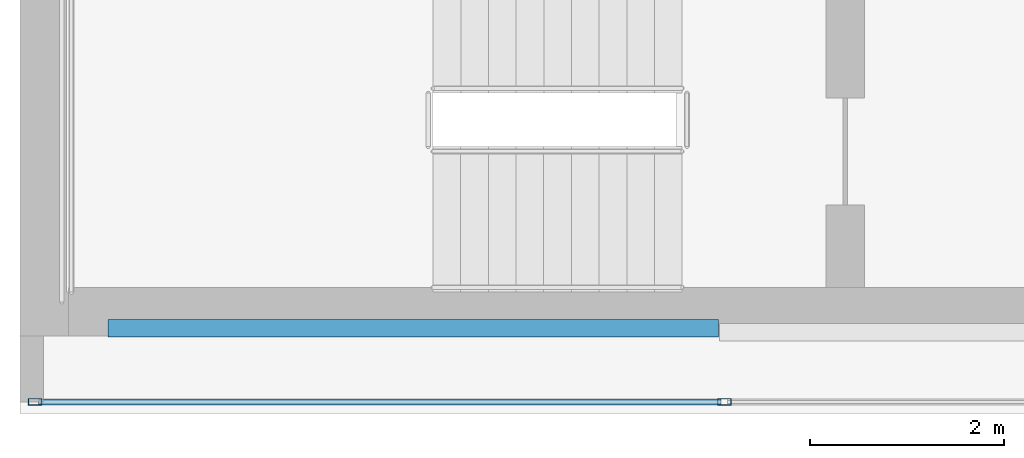
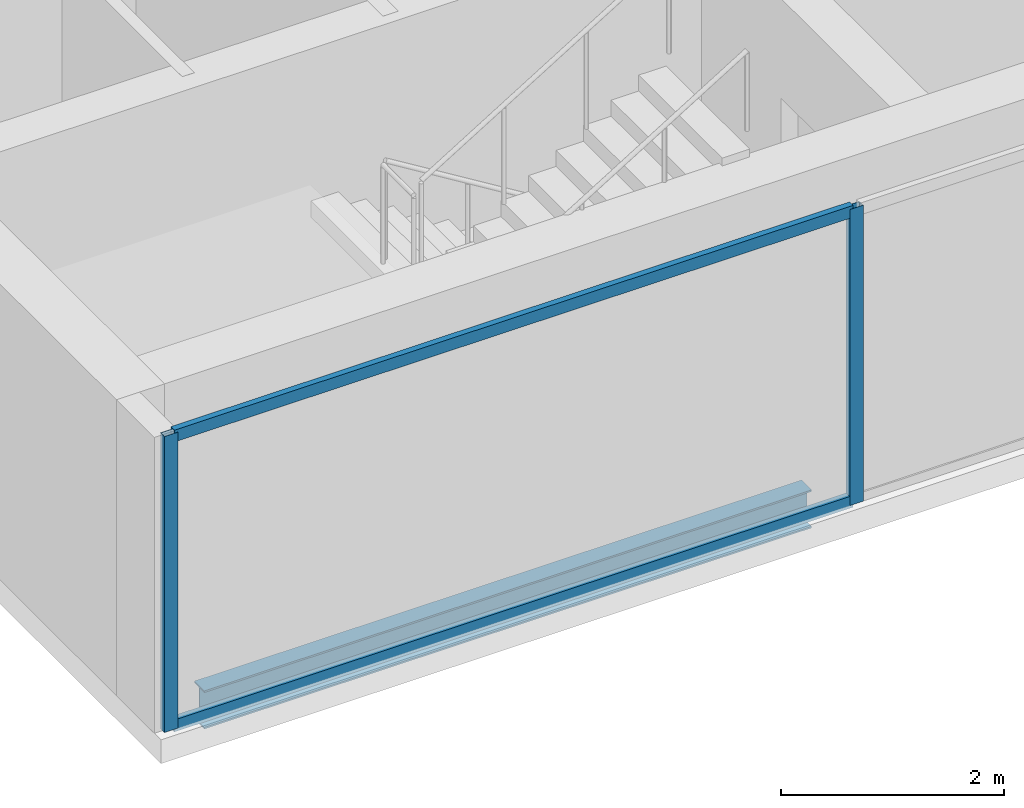
# One storey, part 2 of 23: 4 members, 1 beam, 1 element without a shape of its own.
"""IFC4 building model written with IfcOpenShell, lengths in metres."""

from ifc_helpers import new_model, si_unit, direction, frame, origin, origin_2d, place, context, subcontext, project, spatial, hollow_rectangle, i_section, extrude, material, material_profile, profile_set, type_object, element, aggregate, save


model = new_model("IFC4")

# Units and contexts
model_context = context("Model", 3, precision=1e-05, world=origin(), true_north=direction((0.0, 1.0)))
body_context = subcontext(model_context, "Body", "Model", "MODEL_VIEW")
ifc_project = project(units=[si_unit("LENGTHUNIT", "METRE"), si_unit("AREAUNIT", "SQUARE_METRE"), si_unit("VOLUMEUNIT", "CUBIC_METRE"), si_unit("PLANEANGLEUNIT", "RADIAN"), si_unit("MASSUNIT", "GRAM", prefix="KILO")], contexts=[model_context])

# Site, building, storey
site_placement = place(None, origin())
site = spatial("IfcSite", under=ifc_project, at=site_placement, CompositionType="ELEMENT")
building_placement = place(site_placement, origin())
building = spatial("IfcBuilding", under=site, at=building_placement, Name="Cobrela Telecom Tower", CompositionType="ELEMENT")
storey_placement = place(building_placement, frame((0.0, 0.0, 255.14990234375)))
storey = spatial("IfcBuildingStorey", under=building, at=storey_placement, Name="L66", CompositionType="ELEMENT", Elevation=255.14990234375)

# Beam
ifc_material_1 = material(Name="Steel ASTM A992 Grade 50", Category="steel")
ifc_material_profile_1 = material_profile(ifc_material_1, i_section(OverallWidth=0.179931640625, OverallDepth=0.4169921875, WebThickness=0.010986328125, FlangeThickness=0.01806640625, FilletRadius=0.011962890625, at=origin_2d()), Name="W16X57")
ifc_profile_set_1 = profile_set([ifc_material_profile_1], Name="Steel ASTM A992 Grade 50")
beam_type = type_object("IfcBeamType", Name="BM-SPAND-06", PredefinedType="SPANDREL", material=ifc_profile_set_1)
beam_placement = place(storey_placement, frame((0.905029296875, 7.280029296875, -0.468505859375), z_axis=(1.0, 0.0, 0.0), x_axis=(0.0, 1.0, 0.0)))
element("IfcBeam", 1, at=beam_placement, inside=storey, type_object=beam_type, Name="L66 Perimeter Spandrel X01", PredefinedType="SPANDREL", context=body_context, shape_type="SweptSolid", body=[
    extrude(i_section(OverallWidth=0.179931640625, OverallDepth=0.4169921875, WebThickness=0.010986328125, FlangeThickness=0.01806640625, FilletRadius=0.011962890625, at=origin_2d()), origin(), (0.0, 0.0, 1.0), 6.2900390625),
])

# Curtain wall, members
ifc_material_2 = material(Name="Anodized Bronze Aluminium 6063-T6", Category="aluminium")
curtain_wall_type = type_object("IfcCurtainWallType", Name="CW-SYS-OFF-HI", PredefinedType="USERDEFINED", material=ifc_material_2)
curtain_wall_placement = place(storey_placement, origin())
curtain_wall = element("IfcCurtainWall", 2, at=curtain_wall_placement, inside=storey, type_object=curtain_wall_type, Name="L66 Unitised Bronze Curtain Wall 15", ObjectType="UNITISED CURTAIN WALL", PredefinedType="USERDEFINED")
ifc_material_profile_2 = material_profile(ifc_material_2, hollow_rectangle(XDim=0.070068359375, YDim=0.139892578125, WallThickness=0.00390625, at=origin_2d()), Name="ALU 70x140x4")
ifc_profile_set_2 = profile_set([ifc_material_profile_2], Name="Anodized Bronze Aluminium 6063-T6")
member_type_1 = type_object("IfcMemberType", Name="CW-SYS-OFF-HI-MUL", PredefinedType="MULLION", material=ifc_profile_set_2)
member_1_placement = place(storey_placement, frame((7.2548828125, 6.52001953125, 0.0), z_axis=(0.0, 0.0, 1.0), x_axis=(0.0, -1.0, 0.0)))
member_1 = element("IfcMember", 3, at=member_1_placement, type_object=member_type_1, Name="CW-OFF-HI mullion 6", PredefinedType="MULLION", context=body_context, shape_type="SweptSolid", body=[
    extrude(hollow_rectangle(XDim=0.070068359375, YDim=0.139892578125, WallThickness=0.00390625, at=origin_2d()), origin(), (0.0, 0.0, 1.0), 3.239990234375),
])
member_2_placement = place(storey_placement, frame((0.155029296875, 6.52001953125, 0.0), z_axis=(0.0, 0.0, 1.0), x_axis=(0.0, -1.0, 0.0)))
member_2 = element("IfcMember", 4, at=member_2_placement, type_object=member_type_1, Name="CW-OFF-HI mullion 7", PredefinedType="MULLION", context=body_context, shape_type="SweptSolid", body=[
    extrude(hollow_rectangle(XDim=0.070068359375, YDim=0.139892578125, WallThickness=0.00390625, at=origin_2d()), origin(), (0.0, 0.0, 1.0), 3.239990234375),
])
ifc_material_profile_3 = material_profile(ifc_material_2, hollow_rectangle(XDim=0.06494140625, YDim=0.1298828125, WallThickness=0.00390625, at=origin_2d()), Name="ALU 65x130x4")
ifc_profile_set_3 = profile_set([ifc_material_profile_3], Name="Anodized Bronze Aluminium 6063-T6")
member_type_2 = type_object("IfcMemberType", Name="CW-SYS-OFF-HI-TRN", PredefinedType="USERDEFINED", material=ifc_profile_set_3)
member_3_placement = place(storey_placement, frame((7.219970703125, 6.52001953125, 0.03271484375), z_axis=(-1.0, 0.0, 0.0), x_axis=(0.0, -1.0, 0.0)))
member_3 = element("IfcMember", 5, at=member_3_placement, type_object=member_type_2, Name="CW-OFF-HI transom 6.1", ObjectType="TRANSOM", PredefinedType="USERDEFINED", context=body_context, shape_type="SweptSolid", body=[
    extrude(hollow_rectangle(XDim=0.06494140625, YDim=0.1298828125, WallThickness=0.00390625, at=origin_2d()), origin(), (0.0, 0.0, 1.0), 7.030029296875),
])
member_4_placement = place(storey_placement, frame((7.219970703125, 6.52001953125, 3.20751953125), z_axis=(-1.0, 0.0, 0.0), x_axis=(0.0, -1.0, 0.0)))
member_4 = element("IfcMember", 6, at=member_4_placement, type_object=member_type_2, Name="CW-OFF-HI transom 6.2", ObjectType="TRANSOM", PredefinedType="USERDEFINED", context=body_context, shape_type="SweptSolid", body=[
    extrude(hollow_rectangle(XDim=0.06494140625, YDim=0.1298828125, WallThickness=0.00390625, at=origin_2d()), origin(), (0.0, 0.0, 1.0), 7.030029296875),
])
aggregate(curtain_wall, [member_1, member_2, member_3, member_4])

save(model, "model.ifc")
